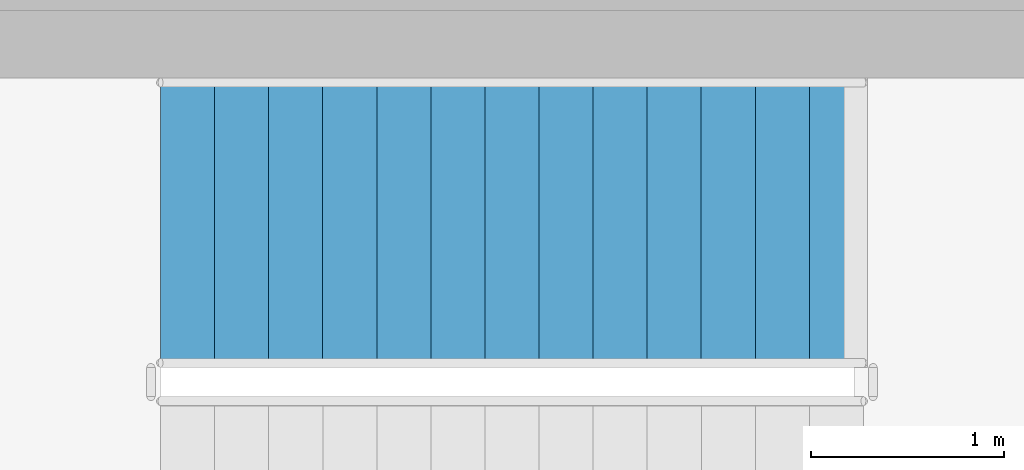
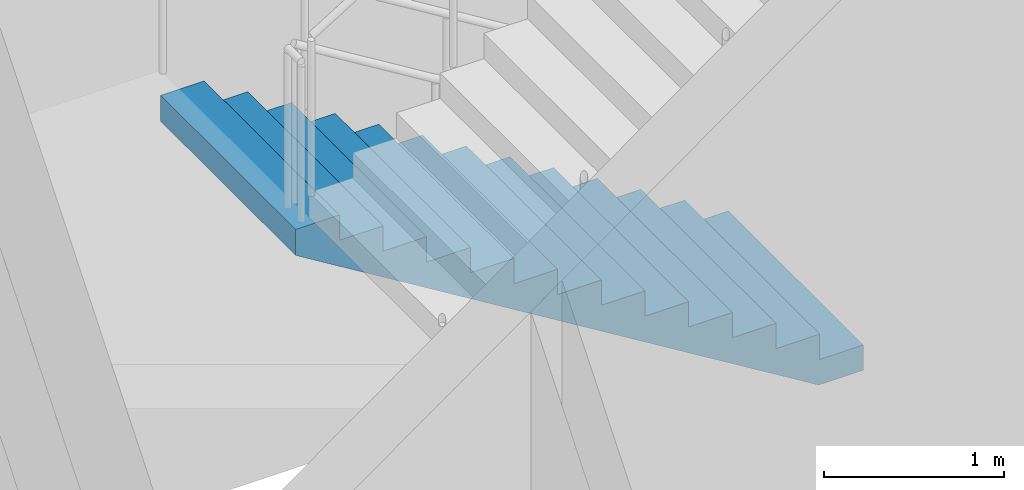
# One storey, part 58 of 91: 1 stair flight, 1 element without a shape of its own.
"""IFC4 building model written with IfcOpenShell, lengths in metres."""

import ifcopenshell
import ifcopenshell.guid

model = None  # the IFC model being written
_history = None  # IfcOwnerHistory: only IFC2X3 demands one
_inside = {}  # id of a spatial element -> (the spatial element, [elements in it])
_under = {}  # id of a project, library or spatial element -> (it, [spatial elements below it])
_declared = {}  # id of a project -> (the project, [libraries it declares])
_typed = {}  # id of a type object -> (the type object, [elements of that type])
_made_of = {}  # id of a material, layer set ... -> (it, [elements and type objects made of it])


def new_model(schema):
    """Start an empty IFC model of exactly this schema.

    Asked for "IFC4X3", IfcOpenShell would pick the latest addendum, in which some entities
    have other attributes; the version numbers below select the first issue.
    IFC2X3 requires an IfcOwnerHistory on every rooted entity: one is made here for all.
    """
    global model, _history
    if schema == "IFC4X3":
        model = ifcopenshell.file(schema_version=(4, 3, 0, 0))
    else:
        model = ifcopenshell.file(schema=schema)
    _inside.clear()
    _under.clear()
    _declared.clear()
    _typed.clear()
    _made_of.clear()
    _history = None
    if model.schema == "IFC2X3":
        org = make("IfcOrganization", Name="unknown")
        user = make(
            "IfcPersonAndOrganization",
            ThePerson=make("IfcPerson", FamilyName="unknown"),
            TheOrganization=org,
        )
        app = make(
            "IfcApplication",
            ApplicationDeveloper=org,
            Version="unknown",
            ApplicationFullName="unknown",
            ApplicationIdentifier="unknown",
        )
        _history = make(
            "IfcOwnerHistory",
            OwningUser=user,
            OwningApplication=app,
            ChangeAction="ADDED",
            CreationDate=0,
        )
    return model


def make(cls, **values):
    """One entity of the class cls with the attributes given. An attribute that is None is left unset."""
    return model.create_entity(
        cls, **{name: value for name, value in values.items() if value is not None}
    )


def rooted(cls, **values):
    """An entity with a GlobalId (a new one), such as an element, a storey or a relation."""
    return make(cls, GlobalId=ifcopenshell.guid.new(), OwnerHistory=_history, **values)


def si_unit(unit_type, name, prefix=None):
    """IfcSIUnit, for example si_unit("LENGTHUNIT", "METRE", prefix="MILLI")."""
    return make("IfcSIUnit", UnitType=unit_type, Prefix=prefix, Name=name)


def assignment(units):
    """IfcUnitAssignment: the units of a project."""
    return None if units is None else make("IfcUnitAssignment", Units=units)


def point(xyz):
    """IfcCartesianPoint."""
    return None if xyz is None else make("IfcCartesianPoint", Coordinates=xyz)


def direction(xyz):
    """IfcDirection."""
    return None if xyz is None else make("IfcDirection", DirectionRatios=xyz)


def frame(location, z_axis=None, x_axis=None):
    """IfcAxis2Placement3D, a coordinate frame: its origin and axes. An axis left out is left unset."""
    return make(
        "IfcAxis2Placement3D",
        Location=point(location),
        Axis=direction(z_axis),
        RefDirection=direction(x_axis),
    )


def origin():
    """The frame at (0, 0, 0) with its axes left unset."""
    return frame((0.0, 0.0, 0.0))


def place(relative_to, where):
    """IfcLocalPlacement: puts the frame where relative to a parent placement (None: the world)."""
    return make(
        "IfcLocalPlacement", PlacementRelTo=relative_to, RelativePlacement=where
    )


def context(
    kind, dimensions, precision=None, world=None, true_north=None, identifier=None
):
    """IfcGeometricRepresentationContext, for example the 3D "Model" context."""
    return make(
        "IfcGeometricRepresentationContext",
        ContextIdentifier=identifier,
        ContextType=kind,
        CoordinateSpaceDimension=dimensions,
        Precision=precision,
        WorldCoordinateSystem=world,
        TrueNorth=true_north,
    )


def subcontext(parent, identifier, kind, view, scale=None):
    """IfcGeometricRepresentationSubContext, for example "Body" below "Model"."""
    return make(
        "IfcGeometricRepresentationSubContext",
        ContextIdentifier=identifier,
        ContextType=kind,
        ParentContext=parent,
        TargetScale=scale,
        TargetView=view,
    )


def project(units=None, contexts=None):
    """IfcProject with its units and contexts."""
    return rooted(
        "IfcProject",
        Name="project",
        RepresentationContexts=contexts,
        UnitsInContext=assignment(units),
    )


def spatial(cls, under=None, at=None, **own):
    """A site, building, storey or space (cls), placed at a placement, below another one or the project."""
    s = rooted(cls, ObjectPlacement=at, **own)
    if under is not None:
        _under.setdefault(under.id(), (under, []))[1].append(s)
    return s


def point_list(points):
    """IfcCartesianPointList2D or 3D."""
    cls = (
        "IfcCartesianPointList2D" if len(points[0]) == 2 else "IfcCartesianPointList3D"
    )
    return make(cls, CoordList=points)


def triangles(points, corners, closed=None, point_numbers=None):
    """IfcTriangulatedFaceSet: each triangle names its three corners, points numbered from 1."""
    return make(
        "IfcTriangulatedFaceSet",
        Coordinates=point_list(points),
        Closed=closed,
        CoordIndex=corners,
        PnIndex=point_numbers,
    )


def shape(context_of_items, identifier, shape_type, items):
    """IfcShapeRepresentation: the items that make up one representation, for example the "Body"."""
    return make(
        "IfcShapeRepresentation",
        ContextOfItems=context_of_items,
        RepresentationIdentifier=identifier,
        RepresentationType=shape_type,
        Items=items,
    )


def material(Name=None, Category=None):
    """IfcMaterial."""
    return make("IfcMaterial", Name=Name, Category=Category)


def made_of(thing, what):
    """Note that an element or type object is made of a material, layer set ...; save() writes the relation."""
    if what is not None:
        _made_of.setdefault(what.id(), (what, []))[1].append(thing)
    return thing


def type_object(cls, material=None, **own):
    """A type object (cls), such as IfcWallType, which elements share."""
    return made_of(rooted(cls, **own), material)


def element(
    cls,
    number,
    at=None,
    inside=None,
    cuts=None,
    type_object=None,
    material=None,
    context=None,
    identifier="Body",
    shape_type=None,
    held_by="IfcProductDefinitionShape",
    body=None,
    shapes=None,
    **own,
):
    """One element of the class cls, such as IfcWall. Its Tag is "e" and its number.

    at: its placement. inside: the storey or other place that contains it. cuts: it is an
    opening in that element (IfcRelVoidsElement). A single representation is given by context,
    identifier, shape_type and body (its items); several are given by shapes. held_by: the class
    of the entity that holds the representations. save() writes the other relations.
    """
    e = rooted(cls, Tag="e%d" % number, ObjectPlacement=at, **own)
    if body is not None:
        shapes = [shape(context, identifier, shape_type, body)]
    if shapes is not None:
        e.Representation = make(held_by, Representations=shapes)
    if inside is not None:
        _inside.setdefault(inside.id(), (inside, []))[1].append(e)
    if cuts is not None:
        rooted(
            "IfcRelVoidsElement", RelatingBuildingElement=cuts, RelatedOpeningElement=e
        )
    if type_object is not None:
        _typed.setdefault(type_object.id(), (type_object, []))[1].append(e)
    return made_of(e, material)


def aggregate(whole, parts):
    """IfcRelAggregates: a whole, such as a stair, and the parts it consists of."""
    return rooted("IfcRelAggregates", RelatingObject=whole, RelatedObjects=parts)


def save(model, path):
    """Write the relations noted so far, then the file.

    IfcRelAggregates (storeys below a building ...), IfcRelContainedInSpatialStructure (elements
    in a storey), IfcRelDefinesByType, IfcRelAssociatesMaterial and IfcRelDeclares: one each for
    every whole, place, type object, material and project.
    """
    for whole, parts in _under.values():
        aggregate(whole, parts)
    for where, things in _inside.values():
        rooted(
            "IfcRelContainedInSpatialStructure",
            RelatedElements=things,
            RelatingStructure=where,
        )
    for kind, things in _typed.values():
        rooted("IfcRelDefinesByType", RelatedObjects=things, RelatingType=kind)
    for what, things in _made_of.values():
        rooted("IfcRelAssociatesMaterial", RelatedObjects=things, RelatingMaterial=what)
    for by, libraries in _declared.values():
        rooted("IfcRelDeclares", RelatingContext=by, RelatedDefinitions=libraries)
    model.write(path)


model = new_model("IFC4")

# Units and contexts
model_context = context("Model", 3, precision=1e-05, world=origin(), true_north=direction((0.0, 1.0)))
body_context = subcontext(model_context, "Body", "Model", "MODEL_VIEW")
ifc_project = project(units=[si_unit("LENGTHUNIT", "METRE"), si_unit("AREAUNIT", "SQUARE_METRE"), si_unit("VOLUMEUNIT", "CUBIC_METRE"), si_unit("PLANEANGLEUNIT", "RADIAN"), si_unit("MASSUNIT", "GRAM", prefix="KILO")], contexts=[model_context])

# Site, building, storey
site_placement = place(None, origin())
site = spatial("IfcSite", under=ifc_project, at=site_placement, CompositionType="ELEMENT")
building_placement = place(site_placement, origin())
building = spatial("IfcBuilding", under=site, at=building_placement, Name="Magnolia Steps Interchange", CompositionType="ELEMENT")
storey_placement = place(building_placement, origin())
storey = spatial("IfcBuildingStorey", under=building, at=storey_placement, Name="L00", CompositionType="ELEMENT", Elevation=0.0)

# Stair, stair flight
ifc_material_1 = material(Name="Concrete C40", Category="concrete")
stair_type = type_object("IfcStairType", Name="Exit stair 1500", PredefinedType="HALF_TURN_STAIR", material=ifc_material_1)
stair_placement = place(storey_placement, origin())
stair = element("IfcStair", 1, at=stair_placement, inside=storey, type_object=stair_type, Name="L00 Stair 6", PredefinedType="HALF_TURN_STAIR")
ifc_material_2 = material(Name="Concrete C40", Category="concrete")
stair_flight_type = type_object("IfcStairFlightType", Name="Exit stair flight", PredefinedType="STRAIGHT", material=ifc_material_2)
stair_flight_placement = place(storey_placement, frame((59.0, 51.949951171875, 0.0), z_axis=(0.0, 0.0, 1.0), x_axis=(-1.0, 0.0, 0.0)))
stair_flight = element("IfcStairFlight", 2, at=stair_flight_placement, type_object=stair_flight_type, Name="Stair 6 flight 1", NumberOfRisers=14, NumberOfTreads=13, PredefinedType="STRAIGHT", RiserHeight=0.171428571, TreadLength=0.28, context=body_context, shape_type="Tessellation", body=[
    triangles([(0.0, -0.75, 0.0), (0.287109375, -0.75, 0.0), (3.639892578125, -0.75, 2.052734375), (3.639892578125, -0.75, 2.228515625), (3.360107421875, -0.75, 2.228515625), (3.360107421875, -0.75, 2.05712890625), (3.080078125, -0.75, 2.05712890625), (3.080078125, -0.75, 1.8857421875), (2.800048828125, -0.75, 1.8857421875), (2.800048828125, -0.75, 1.71435546875), (2.52001953125, -0.75, 1.71435546875), (2.52001953125, -0.75, 1.54296875), (2.239990234375, -0.75, 1.54296875), (2.239990234375, -0.75, 1.371337890625), (1.9599609375, -0.75, 1.371337890625), (1.9599609375, -0.75, 1.199951171875), (1.679931640625, -0.75, 1.199951171875), (1.679931640625, -0.75, 1.028564453125), (1.39990234375, -0.75, 1.028564453125), (1.39990234375, -0.75, 0.857177734375), (1.1201171875, -0.75, 0.857177734375), (1.1201171875, -0.75, 0.685791015625), (0.840087890625, -0.75, 0.685791015625), (0.840087890625, -0.75, 0.514404296875), (0.56005859375, -0.75, 0.514404296875), (0.56005859375, -0.75, 0.3427734375), (0.280029296875, -0.75, 0.3427734375), (0.280029296875, -0.75, 0.17138671875), (0.0, -0.75, 0.17138671875), (0.0, 0.75, 0.0), (0.287109375, 0.75, 0.0), (3.639892578125, 0.75, 2.052734375), (3.639892578125, 0.75, 2.228515625), (3.360107421875, 0.75, 2.228515625), (3.360107421875, 0.75, 2.05712890625), (3.080078125, 0.75, 2.05712890625), (3.080078125, 0.75, 1.8857421875), (2.800048828125, 0.75, 1.8857421875), (2.800048828125, 0.75, 1.71435546875), (2.52001953125, 0.75, 1.71435546875), (2.52001953125, 0.75, 1.54296875), (2.239990234375, 0.75, 1.54296875), (2.239990234375, 0.75, 1.371337890625), (1.9599609375, 0.75, 1.371337890625), (1.9599609375, 0.75, 1.199951171875), (1.679931640625, 0.75, 1.199951171875), (1.679931640625, 0.75, 1.028564453125), (1.39990234375, 0.75, 1.028564453125), (1.39990234375, 0.75, 0.857177734375), (1.1201171875, 0.75, 0.857177734375), (1.1201171875, 0.75, 0.685791015625), (0.840087890625, 0.75, 0.685791015625), (0.840087890625, 0.75, 0.514404296875), (0.56005859375, 0.75, 0.514404296875), (0.56005859375, 0.75, 0.3427734375), (0.280029296875, 0.75, 0.3427734375), (0.280029296875, 0.75, 0.17138671875), (0.0, 0.75, 0.17138671875), (0.0, 0.0, 0.0), (0.0, 0.0, 0.0428466796875), (0.0, 0.0, 0.085693359375), (0.0, 0.0, 0.1285400390625), (0.0, 0.0, 0.17138671875), (0.0, -0.05, 0.0), (0.0, -0.05, 0.17138671875), (0.0, 0.05, 0.0), (0.0, 0.05, 0.17138671875), (0.046671549479166664, 0.0, 0.17138671875), (0.09334309895833333, 0.0, 0.17138671875), (0.1400146484375, 0.0, 0.17138671875), (0.18668619791666666, 0.0, 0.17138671875), (0.23335774739583334, 0.0, 0.17138671875), (0.280029296875, 0.0, 0.17138671875), (0.280029296875, -0.05, 0.17138671875), (0.280029296875, 0.05, 0.17138671875), (0.280029296875, 0.0, 0.2142333984375), (0.280029296875, 0.0, 0.257080078125), (0.280029296875, 0.0, 0.2999267578125), (0.280029296875, 0.0, 0.3427734375), (0.280029296875, -0.05, 0.3427734375), (0.280029296875, 0.05, 0.3427734375), (0.3267008463541667, 0.0, 0.3427734375), (0.3733723958333333, 0.0, 0.3427734375), (0.4200439453125, 0.0, 0.3427734375), (0.46671549479166663, 0.0, 0.3427734375), (0.5133870442708334, 0.0, 0.3427734375), (0.56005859375, 0.0, 0.3427734375), (0.56005859375, -0.05, 0.3427734375), (0.56005859375, 0.05, 0.3427734375), (0.56005859375, 0.0, 0.38568115234375), (0.56005859375, 0.0, 0.4285888671875), (0.56005859375, 0.0, 0.47149658203125), (0.56005859375, 0.0, 0.514404296875), (0.56005859375, -0.05, 0.514404296875), (0.56005859375, 0.05, 0.514404296875), (0.6067301432291666, 0.0, 0.514404296875), (0.6534016927083334, 0.0, 0.514404296875), (0.7000732421875, 0.0, 0.514404296875), (0.7467447916666666, 0.0, 0.514404296875), (0.7934163411458334, 0.0, 0.514404296875), (0.840087890625, 0.0, 0.514404296875), (0.840087890625, -0.05, 0.514404296875), (0.840087890625, 0.05, 0.514404296875), (0.840087890625, 0.0, 0.5572509765625), (0.840087890625, 0.0, 0.60009765625), (0.840087890625, 0.0, 0.6429443359375), (0.840087890625, 0.0, 0.685791015625), (0.840087890625, -0.05, 0.685791015625), (0.840087890625, 0.05, 0.685791015625), (0.8867594401041666, 0.0, 0.685791015625), (0.9334309895833334, 0.0, 0.685791015625), (0.9801025390625, 0.0, 0.685791015625), (1.0267740885416667, 0.0, 0.685791015625), (1.0734456380208333, 0.0, 0.685791015625), (1.1201171875, 0.0, 0.685791015625), (1.1201171875, -0.05, 0.685791015625), (1.1201171875, 0.05, 0.685791015625), (1.1201171875, 0.0, 0.7286376953125), (1.1201171875, 0.0, 0.771484375), (1.1201171875, 0.0, 0.8143310546875), (1.1201171875, 0.0, 0.857177734375), (1.1201171875, -0.05, 0.857177734375), (1.1201171875, 0.05, 0.857177734375), (1.1900634765625, 0.0, 0.857177734375), (1.260009765625, 0.0, 0.857177734375), (1.3299560546875, 0.0, 0.857177734375), (1.39990234375, 0.0, 0.857177734375), (1.39990234375, -0.05, 0.857177734375), (1.39990234375, 0.05, 0.857177734375), (1.39990234375, 0.0, 0.9000244140625), (1.39990234375, 0.0, 0.94287109375), (1.39990234375, 0.0, 0.9857177734375), (1.39990234375, 0.0, 1.028564453125), (1.39990234375, -0.05, 1.028564453125), (1.39990234375, 0.05, 1.028564453125), (1.4465738932291667, 0.0, 1.028564453125), (1.4932454427083333, 0.0, 1.028564453125), (1.5399169921875, 0.0, 1.028564453125), (1.5865885416666667, 0.0, 1.028564453125), (1.6332600911458333, 0.0, 1.028564453125), (1.679931640625, 0.0, 1.028564453125), (1.679931640625, -0.05, 1.028564453125), (1.679931640625, 0.05, 1.028564453125), (1.679931640625, 0.0, 1.0714111328125), (1.679931640625, 0.0, 1.1142578125), (1.679931640625, 0.0, 1.1571044921875), (1.679931640625, 0.0, 1.199951171875), (1.679931640625, -0.05, 1.199951171875), (1.679931640625, 0.05, 1.199951171875), (1.7266031901041667, 0.0, 1.199951171875), (1.7732747395833333, 0.0, 1.199951171875), (1.8199462890625, 0.0, 1.199951171875), (1.8666178385416667, 0.0, 1.199951171875), (1.9132893880208333, 0.0, 1.199951171875), (1.9599609375, 0.0, 1.199951171875), (1.9599609375, -0.05, 1.199951171875), (1.9599609375, 0.05, 1.199951171875), (1.9599609375, 0.0, 1.2427978515625), (1.9599609375, 0.0, 1.28564453125), (1.9599609375, 0.0, 1.3284912109375), (1.9599609375, 0.0, 1.371337890625), (1.9599609375, -0.05, 1.371337890625), (1.9599609375, 0.05, 1.371337890625), (2.0066324869791665, 0.0, 1.371337890625), (2.0533040364583335, 0.0, 1.371337890625), (2.0999755859375, 0.0, 1.371337890625), (2.1466471354166665, 0.0, 1.371337890625), (2.1933186848958335, 0.0, 1.371337890625), (2.239990234375, 0.0, 1.371337890625), (2.239990234375, -0.05, 1.371337890625), (2.239990234375, 0.05, 1.371337890625), (2.239990234375, 0.0, 1.41424560546875), (2.239990234375, 0.0, 1.4571533203125), (2.239990234375, 0.0, 1.50006103515625), (2.239990234375, 0.0, 1.54296875), (2.239990234375, -0.05, 1.54296875), (2.239990234375, 0.05, 1.54296875), (2.2866617838541665, 0.0, 1.54296875), (2.3333333333333335, 0.0, 1.54296875), (2.3800048828125, 0.0, 1.54296875), (2.4266764322916665, 0.0, 1.54296875), (2.4733479817708335, 0.0, 1.54296875), (2.52001953125, 0.0, 1.54296875), (2.52001953125, -0.05, 1.54296875), (2.52001953125, 0.05, 1.54296875), (2.52001953125, 0.0, 1.5858154296875), (2.52001953125, 0.0, 1.628662109375), (2.52001953125, 0.0, 1.6715087890625), (2.52001953125, 0.0, 1.71435546875), (2.52001953125, -0.05, 1.71435546875), (2.52001953125, 0.05, 1.71435546875), (2.5666910807291665, 0.0, 1.71435546875), (2.6133626302083335, 0.0, 1.71435546875), (2.6600341796875, 0.0, 1.71435546875), (2.7067057291666665, 0.0, 1.71435546875), (2.7533772786458335, 0.0, 1.71435546875), (2.800048828125, 0.0, 1.71435546875), (2.800048828125, -0.05, 1.71435546875), (2.800048828125, 0.05, 1.71435546875), (2.800048828125, 0.0, 1.7572021484375), (2.800048828125, 0.0, 1.800048828125), (2.800048828125, 0.0, 1.8428955078125), (2.800048828125, 0.0, 1.8857421875), (2.800048828125, -0.05, 1.8857421875), (2.800048828125, 0.05, 1.8857421875), (2.8467203776041665, 0.0, 1.8857421875), (2.8933919270833335, 0.0, 1.8857421875), (2.9400634765625, 0.0, 1.8857421875), (2.9867350260416665, 0.0, 1.8857421875), (3.0334065755208335, 0.0, 1.8857421875), (3.080078125, 0.0, 1.8857421875), (3.080078125, -0.05, 1.8857421875), (3.080078125, 0.05, 1.8857421875), (3.080078125, 0.0, 1.9285888671875), (3.080078125, 0.0, 1.971435546875), (3.080078125, 0.0, 2.0142822265625), (3.080078125, 0.0, 2.05712890625), (3.080078125, -0.05, 2.05712890625), (3.080078125, 0.05, 2.05712890625), (3.1267496744791665, 0.0, 2.05712890625), (3.1734212239583335, 0.0, 2.05712890625), (3.2200927734375, 0.0, 2.05712890625), (3.2667643229166665, 0.0, 2.05712890625), (3.3134358723958335, 0.0, 2.05712890625), (3.360107421875, 0.0, 2.05712890625), (3.360107421875, -0.05, 2.05712890625), (3.360107421875, 0.05, 2.05712890625), (3.360107421875, 0.0, 2.0999755859375), (3.360107421875, 0.0, 2.142822265625), (3.360107421875, 0.0, 2.1856689453125), (3.360107421875, 0.0, 2.228515625), (3.360107421875, -0.05, 2.228515625), (3.360107421875, 0.05, 2.228515625), (3.4300537109375, 0.0, 2.228515625), (3.5, 0.0, 2.228515625), (3.5699462890625, 0.0, 2.228515625), (3.639892578125, 0.0, 2.228515625), (3.639892578125, -0.05, 2.228515625), (3.639892578125, 0.05, 2.228515625), (3.639892578125, 0.0, 2.1845703125), (3.639892578125, 0.0, 2.140625), (3.639892578125, 0.0, 2.0966796875), (3.639892578125, 0.0, 2.052734375), (3.639892578125, -0.05, 2.052734375), (3.639892578125, 0.05, 2.052734375), (3.582085971174569, 0.0, 2.0173424030172415), (3.524279364224138, 0.0, 1.9819504310344827), (3.466472757273707, 0.0, 1.9465584590517242), (3.408666150323276, 0.0, 1.9111664870689655), (3.3508595433728448, 0.0, 1.8757745150862069), (3.2930529364224137, 0.0, 1.8403825431034484), (3.2352463294719827, 0.0, 1.8049905711206897), (3.1774397225215516, 0.0, 1.769598599137931), (3.1196331155711206, 0.0, 1.7342066271551724), (3.0618265086206895, 0.0, 1.6988146551724137), (3.004019901670259, 0.0, 1.6634226831896552), (2.9462132947198274, 0.0, 1.6280307112068966), (2.888406687769397, 0.0, 1.592638739224138), (2.8306000808189653, 0.0, 1.5572467672413794), (2.7727934738685347, 0.0, 1.5218547952586206), (2.714986866918103, 0.0, 1.486462823275862), (2.6571802599676726, 0.0, 1.4510708512931034), (2.599373653017241, 0.0, 1.4156788793103448), (2.5415670460668105, 0.0, 1.3802869073275863), (2.483760439116379, 0.0, 1.3448949353448276), (2.4259538321659484, 0.0, 1.309502963362069), (2.3681472252155173, 0.0, 1.2741109913793105), (2.3103406182650863, 0.0, 1.2387190193965516), (2.2525340113146552, 0.0, 1.2033270474137931), (2.194727404364224, 0.0, 1.1679350754310345), (2.136920797413793, 0.0, 1.1325431034482758), (2.079114190463362, 0.0, 1.0971511314655173), (2.021307583512931, 0.0, 1.0617591594827587), (1.9635009765625, 0.0, 1.0263671875), (1.905694369612069, 0.0, 0.9909752155172413), (1.847887762661638, 0.0, 0.9555832435344827), (1.7900811557112069, 0.0, 0.9201912715517242), (1.7322745487607758, 0.0, 0.8847992995689655), (1.6744679418103448, 0.0, 0.8494073275862069), (1.6166613348599137, 0.0, 0.8140153556034482), (1.5588547279094827, 0.0, 0.7786233836206897), (1.5010481209590516, 0.0, 0.743231411637931), (1.4432415140086206, 0.0, 0.7078394396551724), (1.3854349070581895, 0.0, 0.6724474676724137), (1.3276283001077585, 0.0, 0.6370554956896552), (1.2698216931573274, 0.0, 0.6016635237068966), (1.2120150862068964, 0.0, 0.5662715517241379), (1.1542084792564653, 0.0, 0.5308795797413792), (1.0964018723060347, 0.0, 0.4954876077586208), (1.0385952653556036, 0.0, 0.4600956357758621), (0.9807886584051726, 0.0, 0.4247036637931034), (0.9229820514547415, 0.0, 0.38931169181034475), (0.8651754445043105, 0.0, 0.3539197198275863), (0.8073688375538794, 0.0, 0.3185277478448276), (0.7495622306034484, 0.0, 0.28313577586206895), (0.6917556236530173, 0.0, 0.24774380387931028), (0.6339490167025863, 0.0, 0.21235183189655182), (0.5761424097521552, 0.0, 0.17695985991379315), (0.5183358028017242, 0.0, 0.14156788793103448), (0.46052919585129315, 0.0, 0.1061759159482758), (0.4027225889008621, 0.0, 0.07078394396551735), (0.34491598195043105, 0.0, 0.03539197198275845), (0.287109375, 0.0, 0.0), (0.287109375, -0.05, 0.0), (0.287109375, 0.05, 0.0), (0.2392578125, 0.0, 0.0), (0.19140625, 0.0, 0.0), (0.1435546875, 0.0, 0.0), (0.095703125, 0.0, 0.0), (0.0478515625, 0.0, 0.0)], [[1, 2, 3], [3, 4, 5], [3, 5, 6], [3, 6, 7], [3, 7, 8], [8, 9, 10], [3, 8, 10], [10, 11, 12], [3, 10, 12], [12, 13, 14], [3, 12, 14], [14, 15, 16], [3, 14, 16], [16, 17, 18], [3, 16, 18], [18, 19, 20], [3, 18, 20], [20, 21, 22], [3, 20, 22], [22, 23, 24], [3, 22, 24], [24, 25, 26], [3, 24, 26], [26, 27, 28], [3, 26, 28], [1, 3, 28], [28, 29, 1], [30, 32, 31], [32, 34, 33], [32, 35, 34], [32, 36, 35], [32, 37, 36], [37, 39, 38], [32, 39, 37], [39, 41, 40], [32, 41, 39], [41, 43, 42], [32, 43, 41], [43, 45, 44], [32, 45, 43], [45, 47, 46], [32, 47, 45], [47, 49, 48], [32, 49, 47], [49, 51, 50], [32, 51, 49], [51, 53, 52], [32, 53, 51], [53, 55, 54], [32, 55, 53], [55, 57, 56], [32, 57, 55], [30, 57, 32], [57, 30, 58], [1, 29, 65], [1, 65, 64], [64, 60, 59], [64, 61, 60], [64, 65, 61], [65, 62, 61], [65, 63, 62], [30, 67, 58], [30, 66, 67], [66, 59, 60], [66, 60, 61], [66, 61, 67], [67, 61, 62], [67, 62, 63], [29, 28, 74], [29, 74, 65], [65, 68, 63], [65, 69, 68], [65, 70, 69], [65, 74, 70], [74, 71, 70], [74, 72, 71], [74, 73, 72], [58, 75, 57], [58, 67, 75], [67, 63, 68], [67, 68, 69], [67, 69, 70], [67, 70, 75], [75, 70, 71], [75, 71, 72], [75, 72, 73], [28, 27, 80], [28, 80, 74], [74, 76, 73], [74, 77, 76], [74, 80, 77], [80, 78, 77], [80, 79, 78], [57, 81, 56], [57, 75, 81], [75, 73, 76], [75, 76, 77], [75, 77, 81], [81, 77, 78], [81, 78, 79], [27, 26, 88], [27, 88, 80], [80, 82, 79], [80, 83, 82], [80, 84, 83], [80, 88, 84], [88, 85, 84], [88, 86, 85], [88, 87, 86], [56, 89, 55], [56, 81, 89], [81, 79, 82], [81, 82, 83], [81, 83, 84], [81, 84, 89], [89, 84, 85], [89, 85, 86], [89, 86, 87], [26, 25, 94], [26, 94, 88], [88, 90, 87], [88, 91, 90], [88, 94, 91], [94, 92, 91], [94, 93, 92], [55, 95, 54], [55, 89, 95], [89, 87, 90], [89, 90, 91], [89, 91, 95], [95, 91, 92], [95, 92, 93], [25, 24, 102], [25, 102, 94], [94, 96, 93], [94, 97, 96], [94, 98, 97], [94, 102, 98], [102, 99, 98], [102, 100, 99], [102, 101, 100], [54, 103, 53], [54, 95, 103], [95, 93, 96], [95, 96, 97], [95, 97, 98], [95, 98, 103], [103, 98, 99], [103, 99, 100], [103, 100, 101], [24, 23, 108], [24, 108, 102], [102, 104, 101], [102, 105, 104], [102, 108, 105], [108, 106, 105], [108, 107, 106], [53, 109, 52], [53, 103, 109], [103, 101, 104], [103, 104, 105], [103, 105, 109], [109, 105, 106], [109, 106, 107], [23, 22, 116], [23, 116, 108], [108, 110, 107], [108, 111, 110], [108, 112, 111], [108, 116, 112], [116, 113, 112], [116, 114, 113], [116, 115, 114], [52, 117, 51], [52, 109, 117], [109, 107, 110], [109, 110, 111], [109, 111, 112], [109, 112, 117], [117, 112, 113], [117, 113, 114], [117, 114, 115], [22, 21, 122], [22, 122, 116], [116, 118, 115], [116, 119, 118], [116, 122, 119], [122, 120, 119], [122, 121, 120], [51, 123, 50], [51, 117, 123], [117, 115, 118], [117, 118, 119], [117, 119, 123], [123, 119, 120], [123, 120, 121], [21, 20, 128], [21, 128, 122], [122, 124, 121], [122, 125, 124], [122, 128, 125], [128, 126, 125], [128, 127, 126], [50, 129, 49], [50, 123, 129], [123, 121, 124], [123, 124, 125], [123, 125, 129], [129, 125, 126], [129, 126, 127], [20, 19, 134], [20, 134, 128], [128, 130, 127], [128, 131, 130], [128, 134, 131], [134, 132, 131], [134, 133, 132], [49, 135, 48], [49, 129, 135], [129, 127, 130], [129, 130, 131], [129, 131, 135], [135, 131, 132], [135, 132, 133], [19, 18, 142], [19, 142, 134], [134, 136, 133], [134, 137, 136], [134, 138, 137], [134, 142, 138], [142, 139, 138], [142, 140, 139], [142, 141, 140], [48, 143, 47], [48, 135, 143], [135, 133, 136], [135, 136, 137], [135, 137, 138], [135, 138, 143], [143, 138, 139], [143, 139, 140], [143, 140, 141], [18, 17, 148], [18, 148, 142], [142, 144, 141], [142, 145, 144], [142, 148, 145], [148, 146, 145], [148, 147, 146], [47, 149, 46], [47, 143, 149], [143, 141, 144], [143, 144, 145], [143, 145, 149], [149, 145, 146], [149, 146, 147], [17, 16, 156], [17, 156, 148], [148, 150, 147], [148, 151, 150], [148, 152, 151], [148, 156, 152], [156, 153, 152], [156, 154, 153], [156, 155, 154], [46, 157, 45], [46, 149, 157], [149, 147, 150], [149, 150, 151], [149, 151, 152], [149, 152, 157], [157, 152, 153], [157, 153, 154], [157, 154, 155], [16, 15, 162], [16, 162, 156], [156, 158, 155], [156, 159, 158], [156, 162, 159], [162, 160, 159], [162, 161, 160], [45, 163, 44], [45, 157, 163], [157, 155, 158], [157, 158, 159], [157, 159, 163], [163, 159, 160], [163, 160, 161], [15, 14, 170], [15, 170, 162], [162, 164, 161], [162, 165, 164], [162, 166, 165], [162, 170, 166], [170, 167, 166], [170, 168, 167], [170, 169, 168], [44, 171, 43], [44, 163, 171], [163, 161, 164], [163, 164, 165], [163, 165, 166], [163, 166, 171], [171, 166, 167], [171, 167, 168], [171, 168, 169], [14, 13, 176], [14, 176, 170], [170, 172, 169], [170, 173, 172], [170, 176, 173], [176, 174, 173], [176, 175, 174], [43, 177, 42], [43, 171, 177], [171, 169, 172], [171, 172, 173], [171, 173, 177], [177, 173, 174], [177, 174, 175], [13, 12, 184], [13, 184, 176], [176, 178, 175], [176, 179, 178], [176, 180, 179], [176, 184, 180], [184, 181, 180], [184, 182, 181], [184, 183, 182], [42, 185, 41], [42, 177, 185], [177, 175, 178], [177, 178, 179], [177, 179, 180], [177, 180, 185], [185, 180, 181], [185, 181, 182], [185, 182, 183], [12, 11, 190], [12, 190, 184], [184, 186, 183], [184, 187, 186], [184, 190, 187], [190, 188, 187], [190, 189, 188], [41, 191, 40], [41, 185, 191], [185, 183, 186], [185, 186, 187], [185, 187, 191], [191, 187, 188], [191, 188, 189], [11, 10, 198], [11, 198, 190], [190, 192, 189], [190, 193, 192], [190, 194, 193], [190, 198, 194], [198, 195, 194], [198, 196, 195], [198, 197, 196], [40, 199, 39], [40, 191, 199], [191, 189, 192], [191, 192, 193], [191, 193, 194], [191, 194, 199], [199, 194, 195], [199, 195, 196], [199, 196, 197], [10, 9, 204], [10, 204, 198], [198, 200, 197], [198, 201, 200], [198, 204, 201], [204, 202, 201], [204, 203, 202], [39, 205, 38], [39, 199, 205], [199, 197, 200], [199, 200, 201], [199, 201, 205], [205, 201, 202], [205, 202, 203], [9, 8, 212], [9, 212, 204], [204, 206, 203], [204, 207, 206], [204, 208, 207], [204, 212, 208], [212, 209, 208], [212, 210, 209], [212, 211, 210], [38, 213, 37], [38, 205, 213], [205, 203, 206], [205, 206, 207], [205, 207, 208], [205, 208, 213], [213, 208, 209], [213, 209, 210], [213, 210, 211], [8, 7, 218], [8, 218, 212], [212, 214, 211], [212, 215, 214], [212, 218, 215], [218, 216, 215], [218, 217, 216], [37, 219, 36], [37, 213, 219], [213, 211, 214], [213, 214, 215], [213, 215, 219], [219, 215, 216], [219, 216, 217], [7, 6, 226], [7, 226, 218], [218, 220, 217], [218, 221, 220], [218, 222, 221], [218, 226, 222], [226, 223, 222], [226, 224, 223], [226, 225, 224], [36, 227, 35], [36, 219, 227], [219, 217, 220], [219, 220, 221], [219, 221, 222], [219, 222, 227], [227, 222, 223], [227, 223, 224], [227, 224, 225], [6, 5, 232], [6, 232, 226], [226, 228, 225], [226, 229, 228], [226, 232, 229], [232, 230, 229], [232, 231, 230], [35, 233, 34], [35, 227, 233], [227, 225, 228], [227, 228, 229], [227, 229, 233], [233, 229, 230], [233, 230, 231], [5, 4, 238], [5, 238, 232], [232, 234, 231], [232, 235, 234], [232, 238, 235], [238, 236, 235], [238, 237, 236], [34, 239, 33], [34, 233, 239], [233, 231, 234], [233, 234, 235], [233, 235, 239], [239, 235, 236], [239, 236, 237], [4, 3, 244], [4, 244, 238], [238, 240, 237], [238, 241, 240], [238, 244, 241], [244, 242, 241], [244, 243, 242], [33, 245, 32], [33, 239, 245], [239, 237, 240], [239, 240, 241], [239, 241, 245], [245, 241, 242], [245, 242, 243], [3, 2, 304], [3, 304, 244], [244, 246, 243], [244, 247, 246], [244, 248, 247], [244, 249, 248], [244, 250, 249], [244, 251, 250], [244, 252, 251], [244, 253, 252], [244, 254, 253], [244, 255, 254], [244, 256, 255], [244, 257, 256], [244, 258, 257], [244, 259, 258], [244, 260, 259], [244, 261, 260], [244, 262, 261], [244, 263, 262], [244, 264, 263], [244, 265, 264], [244, 266, 265], [244, 267, 266], [244, 268, 267], [244, 269, 268], [244, 270, 269], [244, 271, 270], [244, 272, 271], [244, 273, 272], [244, 274, 273], [244, 304, 274], [304, 275, 274], [304, 276, 275], [304, 277, 276], [304, 278, 277], [304, 279, 278], [304, 280, 279], [304, 281, 280], [304, 282, 281], [304, 283, 282], [304, 284, 283], [304, 285, 284], [304, 286, 285], [304, 287, 286], [304, 288, 287], [304, 289, 288], [304, 290, 289], [304, 291, 290], [304, 292, 291], [304, 293, 292], [304, 294, 293], [304, 295, 294], [304, 296, 295], [304, 297, 296], [304, 298, 297], [304, 299, 298], [304, 300, 299], [304, 301, 300], [304, 302, 301], [304, 303, 302], [32, 305, 31], [32, 245, 305], [245, 243, 246], [245, 246, 247], [245, 247, 248], [245, 248, 249], [245, 249, 250], [245, 250, 251], [245, 251, 252], [245, 252, 253], [245, 253, 254], [245, 254, 255], [245, 255, 256], [245, 256, 257], [245, 257, 258], [245, 258, 259], [245, 259, 260], [245, 260, 261], [245, 261, 262], [245, 262, 263], [245, 263, 264], [245, 264, 265], [245, 265, 266], [245, 266, 267], [245, 267, 268], [245, 268, 269], [245, 269, 270], [245, 270, 271], [245, 271, 272], [245, 272, 273], [245, 273, 274], [245, 274, 305], [305, 274, 275], [305, 275, 276], [305, 276, 277], [305, 277, 278], [305, 278, 279], [305, 279, 280], [305, 280, 281], [305, 281, 282], [305, 282, 283], [305, 283, 284], [305, 284, 285], [305, 285, 286], [305, 286, 287], [305, 287, 288], [305, 288, 289], [305, 289, 290], [305, 290, 291], [305, 291, 292], [305, 292, 293], [305, 293, 294], [305, 294, 295], [305, 295, 296], [305, 296, 297], [305, 297, 298], [305, 298, 299], [305, 299, 300], [305, 300, 301], [305, 301, 302], [305, 302, 303], [2, 1, 64], [2, 64, 304], [304, 306, 303], [304, 307, 306], [304, 308, 307], [304, 64, 308], [64, 309, 308], [64, 310, 309], [64, 59, 310], [31, 66, 30], [31, 305, 66], [305, 303, 306], [305, 306, 307], [305, 307, 308], [305, 308, 66], [66, 308, 309], [66, 309, 310], [66, 310, 59]], closed=True),
])
aggregate(stair, [stair_flight])

save(model, "model.ifc")
